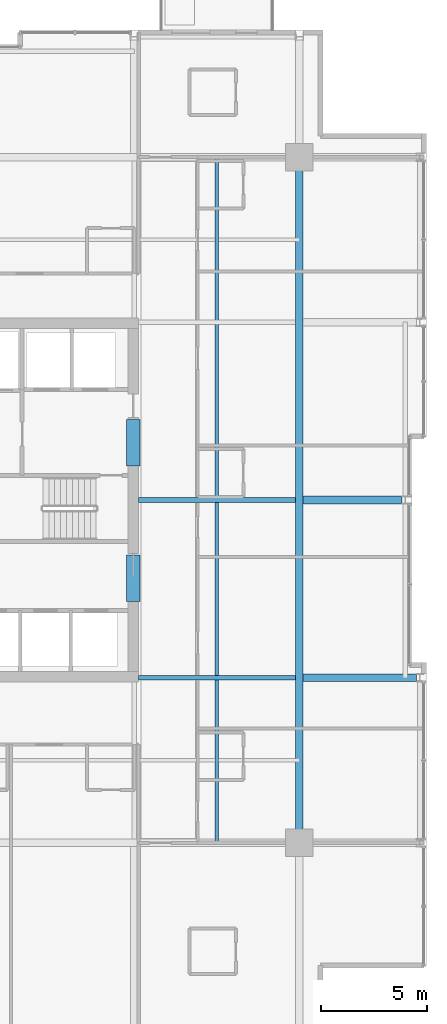
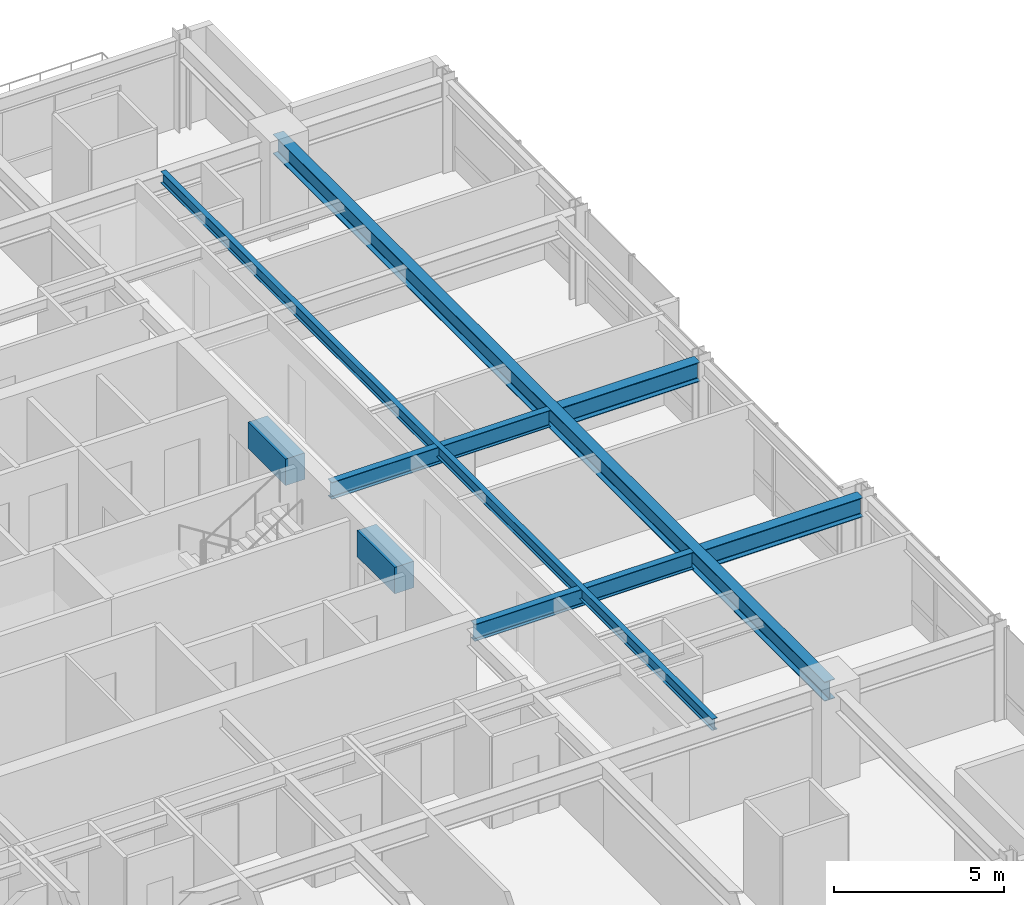
# One storey, part 14 of 33: 8 beams.
"""IFC4 building model written with IfcOpenShell, lengths in metres."""

from ifc_helpers import new_model, si_unit, direction, frame, origin, origin_2d, place, context, subcontext, project, spatial, rectangle, i_section, extrude, material, material_profile, profile_set, type_object, element, save


model = new_model("IFC4")

# Units and contexts
model_context = context("Model", 3, precision=1e-05, world=origin(), true_north=direction((0.0, 1.0)))
body_context = subcontext(model_context, "Body", "Model", "MODEL_VIEW")
ifc_project = project(units=[si_unit("LENGTHUNIT", "METRE"), si_unit("AREAUNIT", "SQUARE_METRE"), si_unit("VOLUMEUNIT", "CUBIC_METRE"), si_unit("PLANEANGLEUNIT", "RADIAN"), si_unit("MASSUNIT", "GRAM", prefix="KILO")], contexts=[model_context])

# Site, building, storey
site_placement = place(None, origin())
site = spatial("IfcSite", under=ifc_project, at=site_placement, CompositionType="ELEMENT")
building_placement = place(site_placement, origin())
building = spatial("IfcBuilding", under=site, at=building_placement, Name="Drelvath Grand Hotel", CompositionType="ELEMENT")
storey_placement = place(building_placement, frame((0.0, 0.0, 178.800048828125)))
storey = spatial("IfcBuildingStorey", under=building, at=storey_placement, Name="L46", CompositionType="ELEMENT", Elevation=178.800048828125)

# Beams
ifc_material_1 = material(Name="Steel ASTM A992 Gr 50", Category="steel")
ifc_material_profile_1 = material_profile(ifc_material_1, i_section(OverallWidth=0.177734375, OverallDepth=0.40673828125, WebThickness=0.0078125, FlangeThickness=0.0126953125, FilletRadius=0.014892578125, at=origin_2d()), Name="W16X40")
ifc_profile_set_1 = profile_set([ifc_material_profile_1], Name="Steel ASTM A992 Gr 50")
beam_type_1 = type_object("IfcBeamType", Name="Composite Floor Joist W16X40", PredefinedType="JOIST", material=ifc_profile_set_1)
beam_1_placement = place(storey_placement, frame((12.300048828125, 10.800048828125, 3.086669921875), z_axis=(0.0, 1.0, 0.0), x_axis=(-1.0, 0.0, 0.0)))
element("IfcBeam", 1, at=beam_1_placement, inside=storey, type_object=beam_type_1, Name="L46 Wing Floor Joist J4", PredefinedType="JOIST", context=body_context, shape_type="SweptSolid", body=[
    extrude(i_section(OverallWidth=0.177734375, OverallDepth=0.40673828125, WebThickness=0.0078125, FlangeThickness=0.0126953125, FilletRadius=0.014892578125, at=origin_2d()), origin(), (0.0, 0.0, 1.0), 32.39990234375),
])
ifc_material_2 = material(Name="Concrete f'c 55 MPa", Category="concrete")
ifc_material_profile_2 = material_profile(ifc_material_2, rectangle(XDim=0.64990234375, YDim=0.949951171875, at=origin_2d()), Name="CB650X950")
ifc_profile_set_2 = profile_set([ifc_material_profile_2], Name="Concrete f'c 55 MPa")
beam_type_2 = type_object("IfcBeamType", Name="Core Coupling Lintel CB650X950", PredefinedType="LINTEL", material=ifc_profile_set_2)
for number, where, z_axis, x_axis, name in (
    (2, (8.35009765625, 22.199951171875, 2.81494140625), (0.0, 1.0, 0.0), (-1.0, 0.0, 0.0), "L46 Core Coupling Lintel ES"),
    (3, (8.35009765625, 28.60009765625, 2.81494140625), (0.0, 1.0, 0.0), (-1.0, 0.0, 0.0), "L46 Core Coupling Lintel EN"),
):
    element("IfcBeam", number, at=place(storey_placement, frame(where, z_axis=z_axis, x_axis=x_axis)), inside=storey, type_object=beam_type_2, Name=name, PredefinedType="LINTEL", context=body_context, shape_type="SweptSolid", body=[
        extrude(rectangle(XDim=0.64990234375, YDim=0.949951171875, at=origin_2d()), origin(), (0.0, 0.0, 1.0), 2.199951171875),
    ])
ifc_material_profile_3 = material_profile(ifc_material_1, i_section(OverallWidth=0.228271484375, OverallDepth=0.607666015625, WebThickness=0.01123046875, FlangeThickness=0.017333984375, FilletRadius=0.02001953125, at=origin_2d()), Name="W24X76")
ifc_profile_set_3 = profile_set([ifc_material_profile_3], Name="Steel ASTM A992 Gr 50")
beam_type_3 = type_object("IfcBeamType", Name="Primary Floor Girder W24X76", PredefinedType="BEAM", material=ifc_profile_set_3)
for number, where, z_axis, x_axis, name in (
    (4, (8.60009765625, 18.60009765625, 2.986083984375), (1.0, 0.0, 0.0), (0.0, 1.0, 0.0), "L46 East Core Tie D"),
    (5, (8.60009765625, 27.0, 2.986083984375), (1.0, 0.0, 0.0), (0.0, 1.0, 0.0), "L46 East Core Tie E"),
):
    element("IfcBeam", number, at=place(storey_placement, frame(where, z_axis=z_axis, x_axis=x_axis)), inside=storey, type_object=beam_type_3, Name=name, PredefinedType="BEAM", context=body_context, shape_type="SweptSolid", body=[
        extrude(i_section(OverallWidth=0.228271484375, OverallDepth=0.607666015625, WebThickness=0.01123046875, FlangeThickness=0.017333984375, FilletRadius=0.02001953125, at=origin_2d()), origin(), (0.0, 0.0, 1.0), 7.422607421875),
    ])
ifc_material_profile_4 = material_profile(ifc_material_1, i_section(OverallWidth=0.354736328125, OverallDepth=0.695556640625, WebThickness=0.015380859375, FlangeThickness=0.025146484375, FilletRadius=0.02392578125, at=origin_2d()), Name="W27X146")
ifc_profile_set_4 = profile_set([ifc_material_profile_4], Name="Steel ASTM A992 Gr 50")
beam_type_4 = type_object("IfcBeamType", Name="Primary Floor Girder W27X146", PredefinedType="BEAM", material=ifc_profile_set_4)
beam_2_placement = place(storey_placement, frame((16.199951171875, 10.800048828125, 2.942138671875), z_axis=(0.0, 1.0, 0.0), x_axis=(-1.0, 0.0, 0.0)))
element("IfcBeam", 6, at=beam_2_placement, inside=storey, type_object=beam_type_4, Name="L46 Mega Ring Girder East", PredefinedType="BEAM", context=body_context, shape_type="SweptSolid", body=[
    extrude(i_section(OverallWidth=0.354736328125, OverallDepth=0.695556640625, WebThickness=0.015380859375, FlangeThickness=0.025146484375, FilletRadius=0.02392578125, at=origin_2d()), origin(), (0.0, 0.0, 1.0), 32.39990234375),
])
beam_3_placement = place(storey_placement, frame((16.37744140625, 18.60009765625, 2.942138671875), z_axis=(1.0, 0.0, 0.0), x_axis=(0.0, 1.0, 0.0)))
element("IfcBeam", 7, at=beam_3_placement, inside=storey, type_object=beam_type_4, Name="L46 East Wing Girder D", PredefinedType="BEAM", context=body_context, shape_type="SweptSolid", body=[
    extrude(i_section(OverallWidth=0.354736328125, OverallDepth=0.695556640625, WebThickness=0.015380859375, FlangeThickness=0.025146484375, FilletRadius=0.02392578125, at=origin_2d()), origin(), (0.0, 0.0, 1.0), 5.362548828125),
])
beam_4_placement = place(storey_placement, frame((16.37744140625, 27.0, 2.942138671875), z_axis=(1.0, 0.0, 0.0), x_axis=(0.0, 1.0, 0.0)))
element("IfcBeam", 8, at=beam_4_placement, inside=storey, type_object=beam_type_4, Name="L46 East Wing Girder E", PredefinedType="BEAM", context=body_context, shape_type="SweptSolid", body=[
    extrude(i_section(OverallWidth=0.354736328125, OverallDepth=0.695556640625, WebThickness=0.015380859375, FlangeThickness=0.025146484375, FilletRadius=0.02392578125, at=origin_2d()), origin(), (0.0, 0.0, 1.0), 4.6826171875),
])

save(model, "model.ifc")
